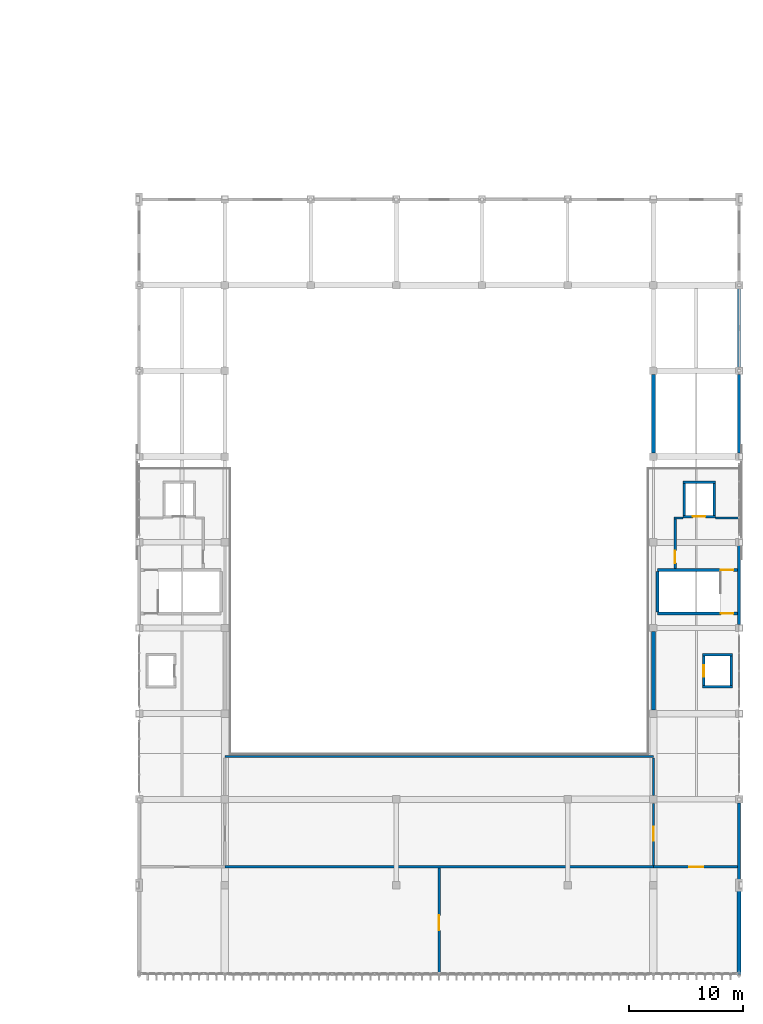
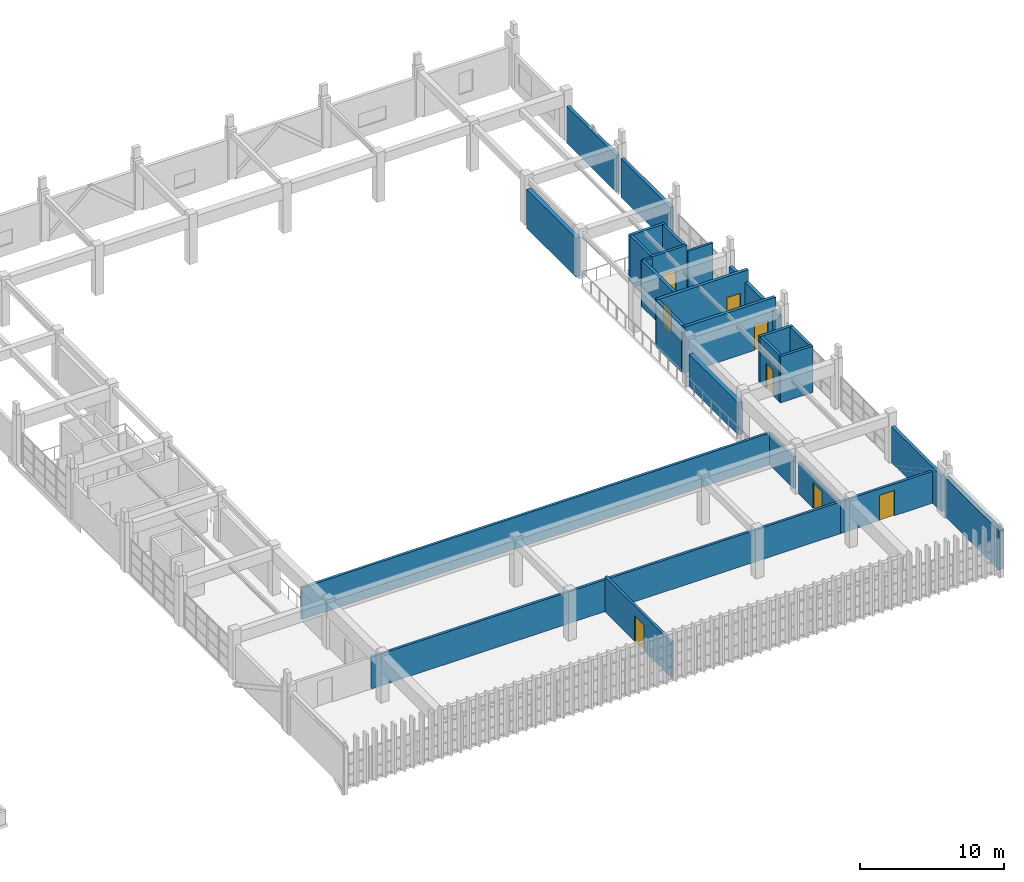
# One storey, part 35 of 51: 27 walls, 8 doors, 8 openings.
"""IFC4 building model written with IfcOpenShell, lengths in metres."""

from ifc_helpers import new_model, si_unit, direction, frame, frame_2d, origin, place, context, subcontext, project, spatial, rectangle, extrude, material, layer, layer_set, type_object, element, fill, save


model = new_model("IFC4")

# Units and contexts
model_context = context("Model", 3, precision=1e-05, world=origin(), true_north=direction((0.0, 1.0)))
body_context = subcontext(model_context, "Body", "Model", "MODEL_VIEW")
ifc_project = project(units=[si_unit("LENGTHUNIT", "METRE"), si_unit("AREAUNIT", "SQUARE_METRE"), si_unit("VOLUMEUNIT", "CUBIC_METRE"), si_unit("PLANEANGLEUNIT", "RADIAN"), si_unit("MASSUNIT", "GRAM", prefix="KILO")], contexts=[model_context])

# Site, building, storey
site_placement = place(None, origin())
site = spatial("IfcSite", under=ifc_project, at=site_placement, CompositionType="ELEMENT")
building_placement = place(site_placement, origin())
building = spatial("IfcBuilding", under=site, at=building_placement, Name="Qasida Concert Hall", CompositionType="ELEMENT")
storey_placement = place(building_placement, frame((0.0, 0.0, 21.0)))
storey = spatial("IfcBuildingStorey", under=building, at=storey_placement, Name="L05", CompositionType="ELEMENT", Elevation=21.0)

# Walls
ifc_material_1 = material(Name="Concrete C40/50", Category="concrete")
ifc_layer_1 = layer(ifc_material_1, 0.219970703125, Name="Concrete C40/50")
ifc_layer_set_1 = layer_set([ifc_layer_1], Name="Concrete C40/50")
wall_type_1 = type_object("IfcWallType", Name="WL-CW-220", PredefinedType="SOLIDWALL", material=ifc_layer_set_1)
for number, where, z_axis, x_axis, name in (
    (1, (101.7900390625, 39.85009765625, 0.0), (0.0, 0.0, 1.0), (1.0, 0.0, 0.0), "L05 LF-02 lift shaft wall S"),
    (2, (101.7900390625, 42.64990234375, 0.0), (0.0, 0.0, 1.0), (1.0, 0.0, 0.0), "L05 LF-02 lift shaft wall N"),
):
    element("IfcWall", number, at=place(storey_placement, frame(where, z_axis=z_axis, x_axis=x_axis)), inside=storey, type_object=wall_type_1, Name=name, PredefinedType="SOLIDWALL", context=body_context, shape_type="SweptSolid", body=[
        extrude(rectangle(XDim=2.619873046875, YDim=0.219970703125, at=frame_2d((1.31005859375, 0.0))), origin(), (0.0, 0.0, 1.0), 3.919921875),
    ])

# Wall, opening, door
wall_1_placement = place(storey_placement, frame((101.89990234375, 39.9599609375, 0.0), z_axis=(0.0, 0.0, 1.0), x_axis=(0.0, 1.0, 0.0)))
wall_1 = element("IfcWall", 3, at=wall_1_placement, inside=storey, type_object=wall_type_1, Name="L05 LF-02 lift shaft wall W", PredefinedType="SOLIDWALL", context=body_context, shape_type="SweptSolid", body=[
    extrude(rectangle(XDim=2.580078125, YDim=0.219970703125, at=frame_2d((1.2900390625, 0.0))), origin(), (0.0, 0.0, 1.0), 3.919921875),
])
opening_1_placement = place(wall_1_placement, frame((0.7900390625, 0.0, 0.0)))
opening_1 = element("IfcOpeningElement", 4, at=opening_1_placement, cuts=wall_1, Name="Opening LD-100", PredefinedType="OPENING", context=body_context, shape_type="SweptSolid", body=[
    extrude(rectangle(XDim=1.0, YDim=2.14990234375, at=frame_2d((0.5, 1.074951171875))), frame((0.0, 0.119873046875, 0.0), z_axis=(0.0, -1.0, 0.0), x_axis=(1.0, 0.0, 0.0)), (0.0, 0.0, 1.0), 0.239990234375),
])
ifc_material_2 = material(Name="Brushed bronze passenger lift landing door", Category="steel")
door_type_1 = type_object("IfcDoorType", Name="LD-100", OperationType="SLIDING_TO_LEFT", PredefinedType="DOOR", material=ifc_material_2)
door_1_placement = place(opening_1_placement, origin())
door_1 = element("IfcDoor", 5, at=door_1_placement, inside=storey, type_object=door_type_1, Name="Lift landing door LF-02 L05", OperationType="SLIDING_TO_LEFT", OverallHeight=2.14990234375, OverallWidth=1.0, PredefinedType="DOOR", context=body_context, shape_type="SweptSolid", body=[
    extrude(rectangle(XDim=1.0, YDim=2.14990234375, at=frame_2d((0.5, 1.074951171875))), frame((0.0, 0.02490234375, 0.0), z_axis=(0.0, -1.0, 0.0), x_axis=(1.0, 0.0, 0.0)), (0.0, 0.0, 1.0), 0.050048828125),
])
fill(opening_1, door_1)

# Wall
wall_2_placement = place(storey_placement, frame((104.300048828125, 39.9599609375, 0.0), z_axis=(0.0, 0.0, 1.0), x_axis=(0.0, 1.0, 0.0)))
element("IfcWall", 6, at=wall_2_placement, inside=storey, type_object=wall_type_1, Name="L05 LF-02 lift shaft wall E", PredefinedType="SOLIDWALL", context=body_context, shape_type="SweptSolid", body=[
    extrude(rectangle(XDim=2.580078125, YDim=0.219970703125, at=frame_2d((1.2900390625, 0.0))), origin(), (0.0, 0.0, 1.0), 3.919921875),
])

# Wall, opening, door
wall_3_placement = place(storey_placement, frame((100.090087890625, 54.75, 0.0), z_axis=(0.0, 0.0, 1.0), x_axis=(1.0, 0.0, 0.0)))
wall_3 = element("IfcWall", 7, at=wall_3_placement, inside=storey, type_object=wall_type_1, Name="L05 LF-04 lift shaft wall S", PredefinedType="SOLIDWALL", context=body_context, shape_type="SweptSolid", body=[
    extrude(rectangle(XDim=2.81982421875, YDim=0.219970703125, at=frame_2d((1.409912109375, 0.0))), origin(), (0.0, 0.0, 1.0), 3.919921875),
])
opening_2_placement = place(wall_3_placement, frame((0.860107421875, 0.0, 0.0)))
opening_2 = element("IfcOpeningElement", 8, at=opening_2_placement, cuts=wall_3, Name="Opening LD-110", PredefinedType="OPENING", context=body_context, shape_type="SweptSolid", body=[
    extrude(rectangle(XDim=1.10009765625, YDim=2.14990234375, at=frame_2d((0.550048828125, 1.074951171875))), frame((0.0, 0.119873046875, 0.0), z_axis=(0.0, -1.0, 0.0), x_axis=(1.0, 0.0, 0.0)), (0.0, 0.0, 1.0), 0.239990234375),
])
ifc_material_3 = material(Name="Firefighting lift sliding landing door", Category="steel")
door_type_2 = type_object("IfcDoorType", Name="LD-110", OperationType="SLIDING_TO_LEFT", PredefinedType="DOOR", material=ifc_material_3)
door_2_placement = place(opening_2_placement, origin())
door_2 = element("IfcDoor", 9, at=door_2_placement, inside=storey, type_object=door_type_2, Name="Lift landing door LF-04 L05", OperationType="SLIDING_TO_LEFT", OverallHeight=2.14990234375, OverallWidth=1.10009765625, PredefinedType="DOOR", context=body_context, shape_type="SweptSolid", body=[
    extrude(rectangle(XDim=1.10009765625, YDim=2.14990234375, at=frame_2d((0.550048828125, 1.074951171875))), frame((0.0, 0.02490234375, 0.0), z_axis=(0.0, -1.0, 0.0), x_axis=(1.0, 0.0, 0.0)), (0.0, 0.0, 1.0), 0.050048828125),
])
fill(opening_2, door_2)

# Walls
wall_4_placement = place(storey_placement, frame((100.090087890625, 57.75, 0.0), z_axis=(0.0, 0.0, 1.0), x_axis=(1.0, 0.0, 0.0)))
element("IfcWall", 10, at=wall_4_placement, inside=storey, type_object=wall_type_1, Name="L05 LF-04 lift shaft wall N", PredefinedType="SOLIDWALL", context=body_context, shape_type="SweptSolid", body=[
    extrude(rectangle(XDim=2.81982421875, YDim=0.219970703125, at=frame_2d((1.409912109375, 0.0))), origin(), (0.0, 0.0, 1.0), 3.919921875),
])
for number, where, z_axis, x_axis, name in (
    (11, (100.199951171875, 54.860107421875, 0.0), (0.0, 0.0, 1.0), (0.0, 1.0, 0.0), "L05 LF-04 lift shaft wall W"),
    (12, (102.800048828125, 54.860107421875, 0.0), (0.0, 0.0, 1.0), (0.0, 1.0, 0.0), "L05 LF-04 lift shaft wall E"),
):
    element("IfcWall", number, at=place(storey_placement, frame(where, z_axis=z_axis, x_axis=x_axis)), inside=storey, type_object=wall_type_1, Name=name, PredefinedType="SOLIDWALL", context=body_context, shape_type="SweptSolid", body=[
        extrude(rectangle(XDim=2.77978515625, YDim=0.219970703125, at=frame_2d((1.389892578125, 0.0))), origin(), (0.0, 0.0, 1.0), 3.919921875),
    ])

# Wall, opening, door
wall_5_placement = place(storey_placement, frame((99.39990234375, 50.219970703125, 0.0), z_axis=(0.0, 0.0, 1.0), x_axis=(0.0, 1.0, 0.0)))
wall_5 = element("IfcWall", 13, at=wall_5_placement, inside=storey, type_object=wall_type_1, Name="L05 LF-04 firefighting lobby wall", PredefinedType="SOLIDWALL", context=body_context, shape_type="SweptSolid", body=[
    extrude(rectangle(XDim=4.409912109375, YDim=0.219970703125, at=frame_2d((2.205078125, 0.0))), origin(), (0.0, 0.0, 1.0), 3.919921875),
])
opening_3_placement = place(wall_5_placement, frame((0.449951171875, 0.0, 0.0)))
opening_3 = element("IfcOpeningElement", 14, at=opening_3_placement, cuts=wall_5, Name="Opening FD-110", PredefinedType="OPENING", context=body_context, shape_type="SweptSolid", body=[
    extrude(rectangle(XDim=1.10009765625, YDim=2.14990234375, at=frame_2d((0.550048828125, 1.074951171875))), frame((0.0, 0.119873046875, 0.0), z_axis=(0.0, -1.0, 0.0), x_axis=(1.0, 0.0, 0.0)), (0.0, 0.0, 1.0), 0.239990234375),
])
ifc_material_4 = material(Name="Steel fire-rated stair/lobby door set", Category="steel")
door_type_3 = type_object("IfcDoorType", Name="FD-110", OperationType="NOTDEFINED", PredefinedType="DOOR", material=ifc_material_4)
door_3_placement = place(opening_3_placement, origin())
door_3 = element("IfcDoor", 15, at=door_3_placement, inside=storey, type_object=door_type_3, Name="L05 LF-04 firefighting lobby fire door", OperationType="SINGLE_SWING_RIGHT", OverallHeight=2.14990234375, OverallWidth=1.10009765625, PredefinedType="DOOR", context=body_context, shape_type="SweptSolid", body=[
    extrude(rectangle(XDim=1.10009765625, YDim=2.14990234375, at=frame_2d((0.550048828125, 1.074951171875))), frame((0.0, 0.02490234375, 0.0), z_axis=(0.0, -1.0, 0.0), x_axis=(1.0, 0.0, 0.0)), (0.0, 0.0, 1.0), 0.050048828125),
])
fill(opening_3, door_3)

ifc_layer_2 = layer(ifc_material_1, 0.25, Name="Concrete C40/50")
ifc_layer_set_2 = layer_set([ifc_layer_2], Name="Concrete C40/50")
wall_type_2 = type_object("IfcWallType", Name="WL-CW-250", PredefinedType="SOLIDWALL", material=ifc_layer_set_2)
wall_6_placement = place(storey_placement, frame((97.860107421875, 46.27490234375, 0.0), z_axis=(0.0, 0.0, 1.0), x_axis=(1.0, 0.0, 0.0)))
wall_6 = element("IfcWall", 16, at=wall_6_placement, inside=storey, type_object=wall_type_2, Name="L05 ST-02 stairwell wall S", PredefinedType="SOLIDWALL", context=body_context, shape_type="SweptSolid", body=[
    extrude(rectangle(XDim=7.260009765625, YDim=0.25, at=frame_2d((3.6298828125, 0.0))), origin(), (0.0, 0.0, 1.0), 3.919921875),
])
opening_4_placement = place(wall_6_placement, frame((5.5400390625, 0.0, 0.0)))
opening_4 = element("IfcOpeningElement", 17, at=opening_4_placement, cuts=wall_6, Name="Opening FD-110", PredefinedType="OPENING", context=body_context, shape_type="SweptSolid", body=[
    extrude(rectangle(XDim=1.10009765625, YDim=2.14990234375, at=frame_2d((0.550048828125, 1.074951171875))), frame((0.0, 0.135009765625, 0.0), z_axis=(0.0, -1.0, 0.0), x_axis=(1.0, 0.0, 0.0)), (0.0, 0.0, 1.0), 0.27001953125),
])
door_4_placement = place(opening_4_placement, origin())
door_4 = element("IfcDoor", 18, at=door_4_placement, inside=storey, type_object=door_type_3, Name="L05 ST-02 rated stair door", OperationType="SINGLE_SWING_LEFT", OverallHeight=2.14990234375, OverallWidth=1.10009765625, PredefinedType="DOOR", context=body_context, shape_type="SweptSolid", body=[
    extrude(rectangle(XDim=1.10009765625, YDim=2.14990234375, at=frame_2d((0.550048828125, 1.074951171875))), frame((0.0, 0.02490234375, 0.0), z_axis=(0.0, -1.0, 0.0), x_axis=(1.0, 0.0, 0.0)), (0.0, 0.0, 1.0), 0.050048828125),
])
fill(opening_4, door_4)

wall_7_placement = place(storey_placement, frame((97.860107421875, 50.0849609375, 0.0), z_axis=(0.0, 0.0, 1.0), x_axis=(1.0, 0.0, 0.0)))
wall_7 = element("IfcWall", 19, at=wall_7_placement, inside=storey, type_object=wall_type_2, Name="L05 ST-02 stairwell wall N", PredefinedType="SOLIDWALL", context=body_context, shape_type="SweptSolid", body=[
    extrude(rectangle(XDim=7.260009765625, YDim=0.25, at=frame_2d((3.6298828125, 0.0))), origin(), (0.0, 0.0, 1.0), 3.919921875),
])
opening_5_placement = place(wall_7_placement, frame((5.5400390625, 0.0, 0.0)))
opening_5 = element("IfcOpeningElement", 20, at=opening_5_placement, cuts=wall_7, Name="Opening FD-110", PredefinedType="OPENING", context=body_context, shape_type="SweptSolid", body=[
    extrude(rectangle(XDim=1.10009765625, YDim=2.14990234375, at=frame_2d((0.550048828125, 1.074951171875))), frame((0.0, 0.135009765625, 0.0), z_axis=(0.0, -1.0, 0.0), x_axis=(1.0, 0.0, 0.0)), (0.0, 0.0, 1.0), 0.27001953125),
])
door_5_placement = place(opening_5_placement, frame((1.10009765625, 0.0, 0.0), z_axis=(0.0, 0.0, 1.0), x_axis=(-1.0, 0.0, 0.0)))
door_5 = element("IfcDoor", 21, at=door_5_placement, inside=storey, type_object=door_type_3, Name="L05 ST-02 rated stair door", OperationType="SINGLE_SWING_RIGHT", OverallHeight=2.14990234375, OverallWidth=1.10009765625, PredefinedType="DOOR", context=body_context, shape_type="SweptSolid", body=[
    extrude(rectangle(XDim=1.10009765625, YDim=2.14990234375, at=frame_2d((0.550048828125, 1.074951171875))), frame((0.0, 0.02490234375, 0.0), z_axis=(0.0, -1.0, 0.0), x_axis=(1.0, 0.0, 0.0)), (0.0, 0.0, 1.0), 0.050048828125),
])
fill(opening_5, door_5)

# Walls
wall_8_placement = place(storey_placement, frame((97.85498046875, 46.39990234375, 0.0), z_axis=(0.0, 0.0, 1.0), x_axis=(0.0, 1.0, 0.0)))
element("IfcWall", 22, at=wall_8_placement, inside=storey, type_object=wall_type_2, Name="L05 ST-02 stairwell wall W", PredefinedType="SOLIDWALL", context=body_context, shape_type="SweptSolid", body=[
    extrude(rectangle(XDim=3.56005859375, YDim=0.25, at=frame_2d((1.780029296875, 0.0))), origin(), (0.0, 0.0, 1.0), 3.919921875),
])
ifc_material_5 = material(Name="Precast concrete C40/50", Category="concrete")
ifc_layer_3 = layer(ifc_material_5, 0.260009765625, Name="Precast concrete C40/50")
ifc_layer_set_3 = layer_set([ifc_layer_3], Name="Precast concrete C40/50")
wall_type_3 = type_object("IfcWallType", Name="WL-EW-260", PredefinedType="SOLIDWALL", material=ifc_layer_set_3)
wall_9_placement = place(storey_placement, frame((105.0, 22.800048828125, 0.0), z_axis=(0.0, 0.0, 1.0), x_axis=(0.0, 1.0, 0.0)))
element("IfcWall", 23, at=wall_9_placement, inside=storey, type_object=wall_type_3, Name="L05 exterior wall EW-260 0097", PredefinedType="SOLIDWALL", context=body_context, shape_type="SweptSolid", body=[
    extrude(rectangle(XDim=6.89990234375, YDim=0.260009765625, at=frame_2d((3.449951171875, 0.0))), origin(), (0.0, 0.0, 1.0), 3.0400390625),
])
wall_10_placement = place(storey_placement, frame((105.0, 45.300048828125, 0.0), z_axis=(0.0, 0.0, 1.0), x_axis=(0.0, 1.0, 0.0)))
element("IfcWall", 24, at=wall_10_placement, inside=storey, type_object=wall_type_3, Name="L05 exterior wall EW-260 0099", PredefinedType="SOLIDWALL", context=body_context, shape_type="SweptSolid", body=[
    extrude(rectangle(XDim=6.89990234375, YDim=0.260009765625, at=frame_2d((3.449951171875, 0.0))), origin(), (0.0, 0.0, 1.0), 2.93994140625),
])
wall_11_placement = place(storey_placement, frame((105.0, 60.300048828125, -0.280029296875), z_axis=(0.0, 0.0, 1.0), x_axis=(0.0, 1.0, 0.0)))
element("IfcWall", 25, at=wall_11_placement, inside=storey, type_object=wall_type_3, Name="L05 exterior wall EW-260 0101", PredefinedType="SOLIDWALL", context=body_context, shape_type="SweptSolid", body=[
    extrude(rectangle(XDim=6.89990234375, YDim=0.260009765625, at=frame_2d((3.449951171875, 0.0))), origin(), (0.0, 0.0, 1.0), 3.27001953125),
])
wall_12_placement = place(storey_placement, frame((105.0, 67.800048828125, -0.280029296875), z_axis=(0.0, 0.0, 1.0), x_axis=(0.0, 1.0, 0.0)))
element("IfcWall", 26, at=wall_12_placement, inside=storey, type_object=wall_type_3, Name="L05 exterior wall EW-260 0103", PredefinedType="SOLIDWALL", context=body_context, shape_type="SweptSolid", body=[
    extrude(rectangle(XDim=6.89990234375, YDim=0.260009765625, at=frame_2d((3.449951171875, 0.0))), origin(), (0.0, 0.0, 1.0), 3.1201171875),
])
ifc_layer_4 = layer(ifc_material_5, 0.360107421875, Name="Precast concrete C40/50")
ifc_layer_set_4 = layer_set([ifc_layer_4], Name="Precast concrete C40/50")
wall_type_4 = type_object("IfcWallType", Name="WL-EW-360", PredefinedType="SOLIDWALL", material=ifc_layer_set_4)
wall_13_placement = place(storey_placement, frame((105.0, 14.699951171875, 0.0), z_axis=(0.0, 0.0, 1.0), x_axis=(0.0, 1.0, 0.0)))
element("IfcWall", 27, at=wall_13_placement, inside=storey, type_object=wall_type_4, Name="L05 exterior wall EW-360 0015", PredefinedType="SOLIDWALL", context=body_context, shape_type="SweptSolid", body=[
    extrude(rectangle(XDim=7.5, YDim=0.360107421875, at=frame_2d((3.75, 0.0))), origin(), (0.0, 0.0, 1.0), 3.320068359375),
])
ifc_material_6 = material(Name="Acoustic gypsum block and mineral wool", Category="gypsum")
ifc_layer_5 = layer(ifc_material_6, 0.199951171875, Name="Acoustic gypsum block and mineral wool")
ifc_layer_set_5 = layer_set([ifc_layer_5], Name="Acoustic gypsum block and mineral wool")
wall_type_5 = type_object("IfcWallType", Name="WL-PW-200", PredefinedType="PARTITIONING", material=ifc_layer_set_5)
wall_14_placement = place(storey_placement, frame((99.2900390625, 54.6298828125, 0.0), z_axis=(0.0, 0.0, 1.0), x_axis=(1.0, 0.0, 0.0)))
element("IfcWall", 28, at=wall_14_placement, inside=storey, type_object=wall_type_5, Name="L05 LF-04 firefighting lobby return wall", PredefinedType="PARTITIONING", context=body_context, shape_type="SweptSolid", body=[
    extrude(rectangle(XDim=0.784912109375, YDim=0.199951171875, at=frame_2d((0.392578125, 0.0))), origin(), (0.0, 0.0, 1.0), 3.89990234375),
])
wall_15_placement = place(storey_placement, frame((102.925048828125, 54.6298828125, 0.0), z_axis=(0.0, 0.0, 1.0), x_axis=(1.0, 0.0, 0.0)))
element("IfcWall", 29, at=wall_15_placement, inside=storey, type_object=wall_type_5, Name="L05 LF-04 firefighting lobby return wall", PredefinedType="PARTITIONING", context=body_context, shape_type="SweptSolid", body=[
    extrude(rectangle(XDim=2.014892578125, YDim=0.199951171875, at=frame_2d((1.00732421875, 0.0))), origin(), (0.0, 0.0, 1.0), 3.47998046875),
])

# Wall, opening, door
wall_16_placement = place(storey_placement, frame((97.5, 24.10009765625, 0.0), z_axis=(0.0, 0.0, 1.0), x_axis=(1.0, 0.0, 0.0)))
wall_16 = element("IfcWall", 30, at=wall_16_placement, inside=storey, type_object=wall_type_5, Name="L05 partition PW-200 0511", PredefinedType="PARTITIONING", context=body_context, shape_type="SweptSolid", body=[
    extrude(rectangle(XDim=7.35595703125, YDim=0.199951171875, at=frame_2d((3.677978515625, 0.0))), origin(), (0.0, 0.0, 1.0), 2.68994140625),
])
opening_6_placement = place(wall_16_placement, frame((3.14990234375, 0.0, 0.0)))
opening_6 = element("IfcOpeningElement", 31, at=opening_6_placement, cuts=wall_16, Name="Opening FD-120", PredefinedType="OPENING", context=body_context, shape_type="SweptSolid", body=[
    extrude(rectangle(XDim=1.199951171875, YDim=2.14990234375, at=frame_2d((0.60009765625, 1.074951171875))), frame((0.0, 0.10986328125, 0.0), z_axis=(0.0, -1.0, 0.0), x_axis=(1.0, 0.0, 0.0)), (0.0, 0.0, 1.0), 0.219970703125),
])
ifc_material_7 = material(Name="Steel fire-rated acoustic door set", Category="steel")
door_type_4 = type_object("IfcDoorType", Name="FD-120", OperationType="NOTDEFINED", PredefinedType="DOOR", material=ifc_material_7)
door_6_placement = place(opening_6_placement, origin())
door_6 = element("IfcDoor", 32, at=door_6_placement, inside=storey, type_object=door_type_4, Name="L05 L05 east south suite door", OperationType="SINGLE_SWING_RIGHT", OverallHeight=2.14990234375, OverallWidth=1.199951171875, PredefinedType="DOOR", context=body_context, shape_type="SweptSolid", body=[
    extrude(rectangle(XDim=1.199951171875, YDim=2.14990234375, at=frame_2d((0.60009765625, 1.074951171875))), frame((0.0, 0.02490234375, 0.0), z_axis=(0.0, -1.0, 0.0), x_axis=(1.0, 0.0, 0.0)), (0.0, 0.0, 1.0), 0.050048828125),
])
fill(opening_6, door_6)

# Walls
for number, where, z_axis, x_axis, name in (
    (33, (60.0, 24.10009765625, 0.0), (0.0, 0.0, 1.0), (1.0, 0.0, 0.0), "L05 partition PW-200 0512"),
    (34, (60.0, 33.75, 0.0), (0.0, 0.0, 1.0), (1.0, 0.0, 0.0), "L05 partition PW-200 0513"),
):
    element("IfcWall", number, at=place(storey_placement, frame(where, z_axis=z_axis, x_axis=x_axis)), inside=storey, type_object=wall_type_5, Name=name, PredefinedType="PARTITIONING", context=body_context, shape_type="SweptSolid", body=[
        extrude(rectangle(XDim=37.5, YDim=0.199951171875, at=frame_2d((18.75, 0.0))), origin(), (0.0, 0.0, 1.0), 2.68994140625),
    ])

# Wall, opening, door
wall_17_placement = place(storey_placement, frame((78.75, 14.820068359375, 0.0), z_axis=(0.0, 0.0, 1.0), x_axis=(0.0, 1.0, 0.0)))
wall_17 = element("IfcWall", 35, at=wall_17_placement, inside=storey, type_object=wall_type_5, Name="L05 partition PW-200 0514", PredefinedType="PARTITIONING", context=body_context, shape_type="SweptSolid", body=[
    extrude(rectangle(XDim=9.166015625, YDim=0.199951171875, at=frame_2d((4.5830078125, 0.0))), origin(), (0.0, 0.0, 1.0), 2.989990234375),
])
opening_7_placement = place(wall_17_placement, frame((3.72998046875, 0.0, 0.0)))
opening_7 = element("IfcOpeningElement", 36, at=opening_7_placement, cuts=wall_17, Name="Opening ID-130", PredefinedType="OPENING", context=body_context, shape_type="SweptSolid", body=[
    extrude(rectangle(XDim=1.300048828125, YDim=2.14990234375, at=frame_2d((0.64990234375, 1.074951171875))), frame((0.0, 0.10986328125, 0.0), z_axis=(0.0, -1.0, 0.0), x_axis=(1.0, 0.0, 0.0)), (0.0, 0.0, 1.0), 0.219970703125),
])
ifc_material_8 = material(Name="Bronze-framed glazed salon door", Category="aluminium")
door_type_5 = type_object("IfcDoorType", Name="ID-130", OperationType="NOTDEFINED", PredefinedType="DOOR", material=ifc_material_8)
door_7_placement = place(opening_7_placement, origin())
door_7 = element("IfcDoor", 37, at=door_7_placement, inside=storey, type_object=door_type_5, Name="L05 L05 south suite crossover door", OperationType="SINGLE_SWING_LEFT", OverallHeight=2.14990234375, OverallWidth=1.300048828125, PredefinedType="DOOR", context=body_context, shape_type="SweptSolid", body=[
    extrude(rectangle(XDim=1.300048828125, YDim=2.14990234375, at=frame_2d((0.64990234375, 1.074951171875))), frame((0.0, 0.02490234375, 0.0), z_axis=(0.0, -1.0, 0.0), x_axis=(1.0, 0.0, 0.0)), (0.0, 0.0, 1.0), 0.050048828125),
])
fill(opening_7, door_7)

wall_18_placement = place(storey_placement, frame((97.5, 24.214111328125, 0.0), z_axis=(0.0, 0.0, 1.0), x_axis=(0.0, 1.0, 0.0)))
wall_18 = element("IfcWall", 38, at=wall_18_placement, inside=storey, type_object=wall_type_5, Name="L05 partition PW-200 0517", PredefinedType="PARTITIONING", context=body_context, shape_type="SweptSolid", body=[
    extrude(rectangle(XDim=5.44677734375, YDim=0.199951171875, at=frame_2d((2.723388671875, 0.0))), origin(), (0.0, 0.0, 1.0), 2.68994140625),
])
opening_8_placement = place(wall_18_placement, frame((2.18603515625, 0.0, 0.0)))
opening_8 = element("IfcOpeningElement", 39, at=opening_8_placement, cuts=wall_18, Name="Opening FD-120", PredefinedType="OPENING", context=body_context, shape_type="SweptSolid", body=[
    extrude(rectangle(XDim=1.199951171875, YDim=2.14990234375, at=frame_2d((0.60009765625, 1.074951171875))), frame((0.0, 0.10986328125, 0.0), z_axis=(0.0, -1.0, 0.0), x_axis=(1.0, 0.0, 0.0)), (0.0, 0.0, 1.0), 0.219970703125),
])
door_8_placement = place(opening_8_placement, origin())
door_8 = element("IfcDoor", 40, at=door_8_placement, inside=storey, type_object=door_type_4, Name="L05 L05 central library east door", OperationType="SINGLE_SWING_LEFT", OverallHeight=2.14990234375, OverallWidth=1.199951171875, PredefinedType="DOOR", context=body_context, shape_type="SweptSolid", body=[
    extrude(rectangle(XDim=1.199951171875, YDim=2.14990234375, at=frame_2d((0.60009765625, 1.074951171875))), frame((0.0, 0.02490234375, 0.0), z_axis=(0.0, -1.0, 0.0), x_axis=(1.0, 0.0, 0.0)), (0.0, 0.0, 1.0), 0.050048828125),
])
fill(opening_8, door_8)

# Walls
wall_19_placement = place(storey_placement, frame((97.5, 30.339111328125, 0.0), z_axis=(0.0, 0.0, 1.0), x_axis=(0.0, 1.0, 0.0)))
element("IfcWall", 41, at=wall_19_placement, inside=storey, type_object=wall_type_5, Name="L05 partition PW-200 0518", PredefinedType="PARTITIONING", context=body_context, shape_type="SweptSolid", body=[
    extrude(rectangle(XDim=3.296875, YDim=0.199951171875, at=frame_2d((1.6484375, 0.0))), origin(), (0.0, 0.0, 1.0), 2.68994140625),
])
ifc_layer_6 = layer(ifc_material_1, 0.35009765625, Name="Concrete C40/50")
ifc_layer_set_6 = layer_set([ifc_layer_6], Name="Concrete C40/50")
wall_type_6 = type_object("IfcWallType", Name="WL-SW-350", PredefinedType="SHEAR", material=ifc_layer_set_6)
wall_20_placement = place(storey_placement, frame((97.5, 37.824951171875, 0.0), z_axis=(0.0, 0.0, 1.0), x_axis=(0.0, 1.0, 0.0)))
element("IfcWall", 42, at=wall_20_placement, inside=storey, type_object=wall_type_6, Name="L05 acoustic box shear wall 0044", PredefinedType="SHEAR", context=body_context, shape_type="SweptSolid", body=[
    extrude(rectangle(XDim=6.85009765625, YDim=0.35009765625, at=frame_2d((3.425048828125, 0.0))), origin(), (0.0, 0.0, 1.0), 2.719970703125),
])
wall_21_placement = place(storey_placement, frame((97.5, 60.324951171875, -0.280029296875), z_axis=(0.0, 0.0, 1.0), x_axis=(0.0, 1.0, 0.0)))
element("IfcWall", 43, at=wall_21_placement, inside=storey, type_object=wall_type_6, Name="L05 acoustic box shear wall 0045", PredefinedType="SHEAR", context=body_context, shape_type="SweptSolid", body=[
    extrude(rectangle(XDim=6.85009765625, YDim=0.35009765625, at=frame_2d((3.425048828125, 0.0))), origin(), (0.0, 0.0, 1.0), 3.300048828125),
])

save(model, "model.ifc")
